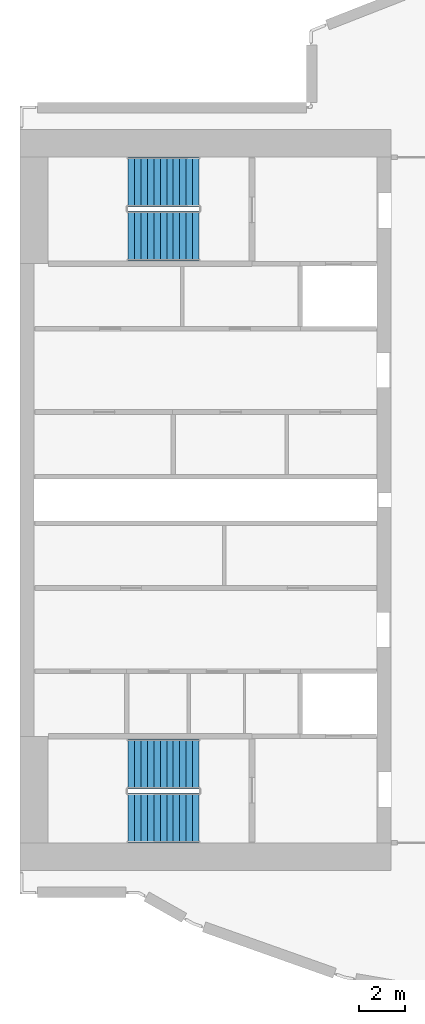
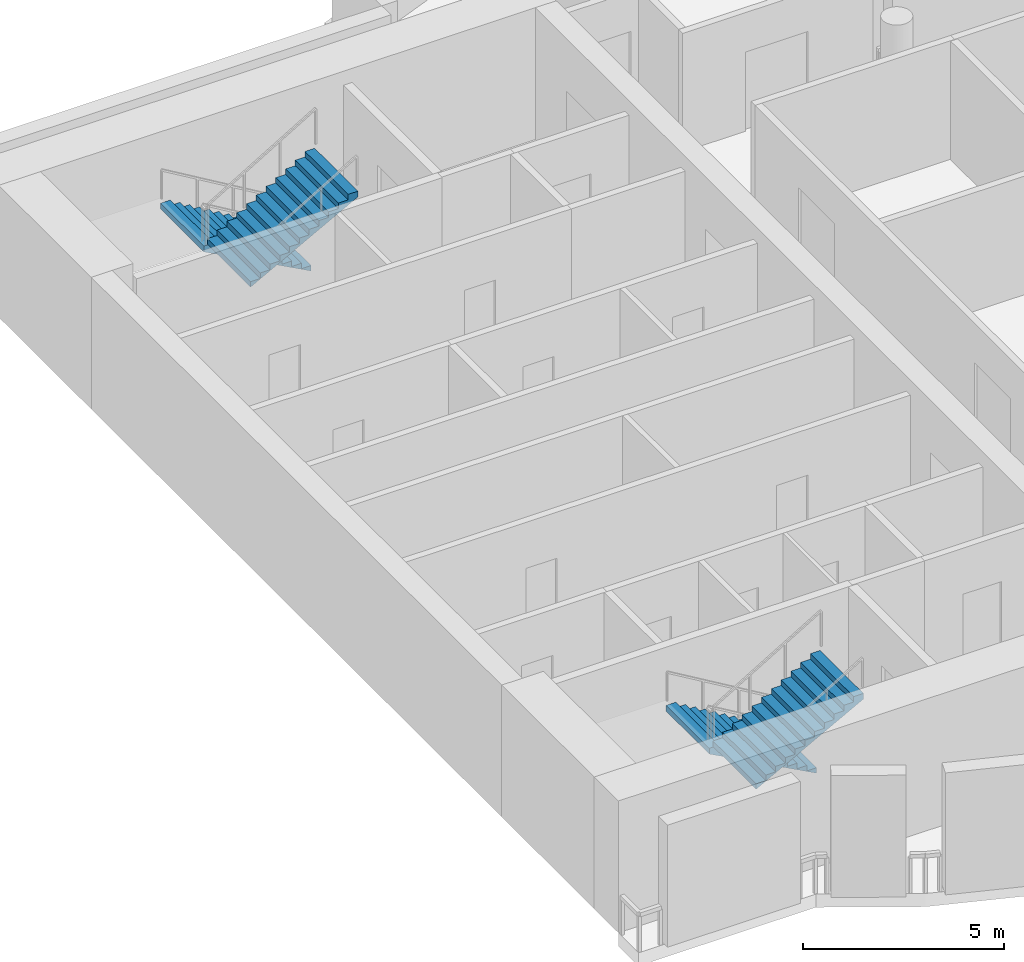
# One storey, part 4 of 8: 4 stair flights, 2 elements without a shape of their own.
"""IFC4 building model written with IfcOpenShell, lengths in metres."""

from ifc_helpers import new_model, si_unit, direction, frame, origin, place, context, subcontext, project, spatial, triangles, material, type_object, element, aggregate, save


model = new_model("IFC4")

# Units and contexts
model_context = context("Model", 3, precision=1e-05, world=origin(), true_north=direction((0.0, 1.0)))
body_context = subcontext(model_context, "Body", "Model", "MODEL_VIEW")
ifc_project = project(units=[si_unit("LENGTHUNIT", "METRE"), si_unit("AREAUNIT", "SQUARE_METRE"), si_unit("VOLUMEUNIT", "CUBIC_METRE"), si_unit("PLANEANGLEUNIT", "RADIAN"), si_unit("MASSUNIT", "GRAM", prefix="KILO")], contexts=[model_context])

# Site, building, storey
site_placement = place(None, origin())
site = spatial("IfcSite", under=ifc_project, at=site_placement, CompositionType="ELEMENT")
building_placement = place(site_placement, origin())
building = spatial("IfcBuilding", under=site, at=building_placement, Name="Cypress Arch Tower", CompositionType="ELEMENT")
storey_placement = place(building_placement, frame((0.0, 0.0, 351.0)))
storey = spatial("IfcBuildingStorey", under=building, at=storey_placement, Name="L80", CompositionType="ELEMENT", Elevation=351.0)

# Stair, stair flights
ifc_material_1 = material(Name="Concrete C40/50", Category="concrete")
stair_type = type_object("IfcStairType", Name="Exit stair ES1667-215", PredefinedType="HALF_TURN_STAIR", material=ifc_material_1)
stair_1_placement = place(storey_placement, origin())
stair_1 = element("IfcStair", 1, at=stair_1_placement, inside=storey, type_object=stair_type, Name="L80 Exit stair A", PredefinedType="HALF_TURN_STAIR")
ifc_material_2 = material(Name="Concrete C40/50", Category="concrete")
stair_flight_type = type_object("IfcStairFlightType", Name="Exit stair flight ES1667-215", PredefinedType="STRAIGHT", material=ifc_material_2)
stair_flight_1_placement = place(storey_placement, frame((-22.27490234375, -11.39990234375, 0.0), z_axis=(0.0, 0.0, 1.0), x_axis=(-1.0, 0.0, 0.0)))
stair_flight_1 = element("IfcStairFlight", 2, at=stair_flight_1_placement, type_object=stair_flight_type, Name="A flight 1", NumberOfRisers=12, NumberOfTreads=11, PredefinedType="STRAIGHT", RiserHeight=0.166666667, TreadLength=0.28, context=body_context, shape_type="Tessellation", body=[
    triangles([(0.0, -1.074951171875, 0.0), (0.000244140625, -1.074951171875, 0.0185546875), (0.000244140625, -1.074951171875, 0.037109375), (0.00048828125, -1.074951171875, 0.0556640625), (0.00048828125, -1.074951171875, 0.07421875), (0.00048828125, -1.074951171875, 0.092529296875), (0.00048828125, -1.074951171875, 0.111083984375), (0.000244140625, -1.074951171875, 0.129638671875), (0.000244140625, -1.074951171875, 0.148193359375), (0.0, -1.074951171875, 0.166748046875), (0.280029296875, -1.074951171875, 0.166748046875), (0.280029296875, -1.074951171875, 0.333251953125), (0.56005859375, -1.074951171875, 0.333251953125), (0.56005859375, -1.074951171875, 0.5), (0.840087890625, -1.074951171875, 0.5), (0.840087890625, -1.074951171875, 0.666748046875), (1.1201171875, -1.074951171875, 0.666748046875), (1.1201171875, -1.074951171875, 0.833251953125), (1.39990234375, -1.074951171875, 0.833251953125), (1.39990234375, -1.074951171875, 1.0), (1.679931640625, -1.074951171875, 1.0), (1.679931640625, -1.074951171875, 1.166748046875), (1.9599609375, -1.074951171875, 1.166748046875), (1.9599609375, -1.074951171875, 1.333251953125), (2.239990234375, -1.074951171875, 1.333251953125), (2.239990234375, -1.074951171875, 1.5), (2.52001953125, -1.074951171875, 1.5), (2.52001953125, -1.074951171875, 1.666748046875), (2.800048828125, -1.074951171875, 1.666748046875), (2.800048828125, -1.074951171875, 1.833251953125), (3.080078125, -1.074951171875, 1.833251953125), (3.079833984375, -1.074951171875, 1.81396484375), (3.079833984375, -1.074951171875, 1.79443359375), (3.07958984375, -1.074951171875, 1.775146484375), (3.07958984375, -1.074951171875, 1.755859375), (3.07958984375, -1.074951171875, 1.736328125), (3.07958984375, -1.074951171875, 1.717041015625), (3.079833984375, -1.074951171875, 1.69775390625), (3.079833984375, -1.074951171875, 1.67822265625), (3.080078125, -1.074951171875, 1.658935546875), (3.080078125, 1.074951171875, 1.658935546875), (3.079833984375, 1.074951171875, 1.67822265625), (3.079833984375, 1.074951171875, 1.69775390625), (3.07958984375, 1.074951171875, 1.717041015625), (3.07958984375, 1.074951171875, 1.736328125), (3.07958984375, 1.074951171875, 1.755859375), (3.07958984375, 1.074951171875, 1.775146484375), (3.079833984375, 1.074951171875, 1.79443359375), (3.079833984375, 1.074951171875, 1.81396484375), (3.080078125, 1.074951171875, 1.833251953125), (2.800048828125, 1.074951171875, 1.833251953125), (2.800048828125, 1.074951171875, 1.666748046875), (2.52001953125, 1.074951171875, 1.666748046875), (2.52001953125, 1.074951171875, 1.5), (2.239990234375, 1.074951171875, 1.5), (2.239990234375, 1.074951171875, 1.333251953125), (1.9599609375, 1.074951171875, 1.333251953125), (1.9599609375, 1.074951171875, 1.166748046875), (1.679931640625, 1.074951171875, 1.166748046875), (1.679931640625, 1.074951171875, 1.0), (1.39990234375, 1.074951171875, 1.0), (1.39990234375, 1.074951171875, 0.833251953125), (1.1201171875, 1.074951171875, 0.833251953125), (1.1201171875, 1.074951171875, 0.666748046875), (0.840087890625, 1.074951171875, 0.666748046875), (0.840087890625, 1.074951171875, 0.5), (0.56005859375, 1.074951171875, 0.5), (0.56005859375, 1.074951171875, 0.333251953125), (0.280029296875, 1.074951171875, 0.333251953125), (0.280029296875, 1.074951171875, 0.166748046875), (0.0, 1.074951171875, 0.166748046875), (0.000244140625, 1.074951171875, 0.148193359375), (0.000244140625, 1.074951171875, 0.129638671875), (0.00048828125, 1.074951171875, 0.111083984375), (0.00048828125, 1.074951171875, 0.092529296875), (0.00048828125, 1.074951171875, 0.07421875), (0.00048828125, 1.074951171875, 0.0556640625), (0.000244140625, 1.074951171875, 0.037109375), (0.000244140625, 1.074951171875, 0.0185546875), (0.0, 1.074951171875, 0.0)], [[40, 39, 30], [39, 38, 30], [38, 37, 30], [37, 36, 30], [36, 35, 30], [35, 34, 30], [34, 33, 30], [33, 32, 30], [32, 31, 30], [29, 28, 27], [27, 26, 25], [23, 22, 21], [21, 20, 19], [17, 16, 15], [15, 14, 13], [10, 9, 11], [9, 8, 11], [8, 7, 11], [7, 6, 11], [6, 5, 11], [5, 4, 11], [4, 3, 11], [3, 2, 11], [2, 1, 11], [19, 18, 17], [25, 24, 23], [13, 12, 11], [40, 30, 29], [40, 29, 27], [40, 27, 25], [40, 25, 23], [40, 23, 21], [40, 21, 19], [40, 19, 17], [40, 17, 15], [40, 15, 13], [1, 40, 13], [13, 11, 1], [41, 51, 42], [42, 51, 43], [43, 51, 44], [44, 51, 45], [45, 51, 46], [46, 51, 47], [47, 51, 48], [48, 51, 49], [49, 51, 50], [52, 54, 53], [54, 56, 55], [58, 60, 59], [60, 62, 61], [64, 66, 65], [66, 68, 67], [71, 70, 72], [72, 70, 73], [73, 70, 74], [74, 70, 75], [75, 70, 76], [76, 70, 77], [77, 70, 78], [78, 70, 79], [79, 70, 80], [62, 64, 63], [56, 58, 57], [68, 70, 69], [41, 52, 51], [41, 54, 52], [41, 56, 54], [41, 58, 56], [41, 60, 58], [41, 62, 60], [41, 64, 62], [41, 66, 64], [41, 68, 66], [80, 68, 41], [68, 80, 70], [41, 42, 39], [41, 39, 40], [42, 43, 38], [42, 38, 39], [43, 44, 37], [43, 37, 38], [44, 45, 36], [44, 36, 37], [45, 46, 35], [45, 35, 36], [46, 47, 34], [46, 34, 35], [47, 48, 33], [47, 33, 34], [48, 49, 32], [48, 32, 33], [49, 50, 31], [49, 31, 32], [50, 51, 30], [50, 30, 31], [51, 52, 29], [51, 29, 30], [52, 53, 28], [52, 28, 29], [53, 54, 27], [53, 27, 28], [54, 55, 26], [54, 26, 27], [55, 56, 25], [55, 25, 26], [56, 57, 24], [56, 24, 25], [57, 58, 23], [57, 23, 24], [58, 59, 22], [58, 22, 23], [59, 60, 21], [59, 21, 22], [60, 61, 20], [60, 20, 21], [61, 62, 19], [61, 19, 20], [62, 63, 18], [62, 18, 19], [63, 64, 17], [63, 17, 18], [64, 65, 16], [64, 16, 17], [65, 66, 15], [65, 15, 16], [66, 67, 14], [66, 14, 15], [67, 68, 13], [67, 13, 14], [68, 69, 12], [68, 12, 13], [69, 70, 11], [69, 11, 12], [70, 71, 10], [70, 10, 11], [71, 72, 9], [71, 9, 10], [72, 73, 8], [72, 8, 9], [73, 74, 7], [73, 7, 8], [74, 75, 6], [74, 6, 7], [75, 76, 5], [75, 5, 6], [76, 77, 4], [76, 4, 5], [77, 78, 3], [77, 3, 4], [78, 79, 2], [78, 2, 3], [79, 80, 1], [79, 1, 2], [80, 41, 40], [80, 40, 1]], closed=True),
])
stair_flight_2_placement = place(storey_placement, frame((-25.35498046875, -13.72509765625, 2.0), z_axis=(0.0, 0.0, 1.0), x_axis=(1.0, 0.0, 0.0)))
stair_flight_2 = element("IfcStairFlight", 3, at=stair_flight_2_placement, type_object=stair_flight_type, Name="A flight 2", NumberOfRisers=12, NumberOfTreads=11, PredefinedType="STRAIGHT", RiserHeight=0.166666667, TreadLength=0.28, context=body_context, shape_type="Tessellation", body=[
    triangles([(0.0, -1.074951171875, 0.0), (0.000244140625, -1.074951171875, 0.0185546875), (0.000244140625, -1.074951171875, 0.037109375), (0.00048828125, -1.074951171875, 0.0556640625), (0.00048828125, -1.074951171875, 0.07421875), (0.00048828125, -1.074951171875, 0.092529296875), (0.00048828125, -1.074951171875, 0.111083984375), (0.000244140625, -1.074951171875, 0.129638671875), (0.000244140625, -1.074951171875, 0.148193359375), (0.0, -1.074951171875, 0.166748046875), (0.280029296875, -1.074951171875, 0.166748046875), (0.280029296875, -1.074951171875, 0.333251953125), (0.56005859375, -1.074951171875, 0.333251953125), (0.56005859375, -1.074951171875, 0.5), (0.840087890625, -1.074951171875, 0.5), (0.840087890625, -1.074951171875, 0.666748046875), (1.1201171875, -1.074951171875, 0.666748046875), (1.1201171875, -1.074951171875, 0.833251953125), (1.39990234375, -1.074951171875, 0.833251953125), (1.39990234375, -1.074951171875, 1.0), (1.679931640625, -1.074951171875, 1.0), (1.679931640625, -1.074951171875, 1.166748046875), (1.9599609375, -1.074951171875, 1.166748046875), (1.9599609375, -1.074951171875, 1.333251953125), (2.239990234375, -1.074951171875, 1.333251953125), (2.239990234375, -1.074951171875, 1.5), (2.52001953125, -1.074951171875, 1.5), (2.52001953125, -1.074951171875, 1.666748046875), (2.800048828125, -1.074951171875, 1.666748046875), (2.800048828125, -1.074951171875, 1.833251953125), (3.080078125, -1.074951171875, 1.833251953125), (3.079833984375, -1.074951171875, 1.81396484375), (3.079833984375, -1.074951171875, 1.79443359375), (3.07958984375, -1.074951171875, 1.775146484375), (3.07958984375, -1.074951171875, 1.755859375), (3.07958984375, -1.074951171875, 1.736328125), (3.07958984375, -1.074951171875, 1.717041015625), (3.079833984375, -1.074951171875, 1.69775390625), (3.079833984375, -1.074951171875, 1.67822265625), (3.080078125, -1.074951171875, 1.658935546875), (3.080078125, 1.074951171875, 1.658935546875), (3.079833984375, 1.074951171875, 1.67822265625), (3.079833984375, 1.074951171875, 1.69775390625), (3.07958984375, 1.074951171875, 1.717041015625), (3.07958984375, 1.074951171875, 1.736328125), (3.07958984375, 1.074951171875, 1.755859375), (3.07958984375, 1.074951171875, 1.775146484375), (3.079833984375, 1.074951171875, 1.79443359375), (3.079833984375, 1.074951171875, 1.81396484375), (3.080078125, 1.074951171875, 1.833251953125), (2.800048828125, 1.074951171875, 1.833251953125), (2.800048828125, 1.074951171875, 1.666748046875), (2.52001953125, 1.074951171875, 1.666748046875), (2.52001953125, 1.074951171875, 1.5), (2.239990234375, 1.074951171875, 1.5), (2.239990234375, 1.074951171875, 1.333251953125), (1.9599609375, 1.074951171875, 1.333251953125), (1.9599609375, 1.074951171875, 1.166748046875), (1.679931640625, 1.074951171875, 1.166748046875), (1.679931640625, 1.074951171875, 1.0), (1.39990234375, 1.074951171875, 1.0), (1.39990234375, 1.074951171875, 0.833251953125), (1.1201171875, 1.074951171875, 0.833251953125), (1.1201171875, 1.074951171875, 0.666748046875), (0.840087890625, 1.074951171875, 0.666748046875), (0.840087890625, 1.074951171875, 0.5), (0.56005859375, 1.074951171875, 0.5), (0.56005859375, 1.074951171875, 0.333251953125), (0.280029296875, 1.074951171875, 0.333251953125), (0.280029296875, 1.074951171875, 0.166748046875), (0.0, 1.074951171875, 0.166748046875), (0.000244140625, 1.074951171875, 0.148193359375), (0.000244140625, 1.074951171875, 0.129638671875), (0.00048828125, 1.074951171875, 0.111083984375), (0.00048828125, 1.074951171875, 0.092529296875), (0.00048828125, 1.074951171875, 0.07421875), (0.00048828125, 1.074951171875, 0.0556640625), (0.000244140625, 1.074951171875, 0.037109375), (0.000244140625, 1.074951171875, 0.0185546875), (0.0, 1.074951171875, 0.0)], [[40, 39, 30], [39, 38, 30], [38, 37, 30], [37, 36, 30], [36, 35, 30], [35, 34, 30], [34, 33, 30], [33, 32, 30], [32, 31, 30], [29, 28, 27], [27, 26, 25], [23, 22, 21], [21, 20, 19], [17, 16, 15], [15, 14, 13], [10, 9, 11], [9, 8, 11], [8, 7, 11], [7, 6, 11], [6, 5, 11], [5, 4, 11], [4, 3, 11], [3, 2, 11], [2, 1, 11], [19, 18, 17], [25, 24, 23], [13, 12, 11], [40, 30, 29], [40, 29, 27], [40, 27, 25], [40, 25, 23], [40, 23, 21], [40, 21, 19], [40, 19, 17], [40, 17, 15], [40, 15, 13], [1, 40, 13], [13, 11, 1], [41, 51, 42], [42, 51, 43], [43, 51, 44], [44, 51, 45], [45, 51, 46], [46, 51, 47], [47, 51, 48], [48, 51, 49], [49, 51, 50], [52, 54, 53], [54, 56, 55], [58, 60, 59], [60, 62, 61], [64, 66, 65], [66, 68, 67], [71, 70, 72], [72, 70, 73], [73, 70, 74], [74, 70, 75], [75, 70, 76], [76, 70, 77], [77, 70, 78], [78, 70, 79], [79, 70, 80], [62, 64, 63], [56, 58, 57], [68, 70, 69], [41, 52, 51], [41, 54, 52], [41, 56, 54], [41, 58, 56], [41, 60, 58], [41, 62, 60], [41, 64, 62], [41, 66, 64], [41, 68, 66], [80, 68, 41], [68, 80, 70], [41, 42, 39], [41, 39, 40], [42, 43, 38], [42, 38, 39], [43, 44, 37], [43, 37, 38], [44, 45, 36], [44, 36, 37], [45, 46, 35], [45, 35, 36], [46, 47, 34], [46, 34, 35], [47, 48, 33], [47, 33, 34], [48, 49, 32], [48, 32, 33], [49, 50, 31], [49, 31, 32], [50, 51, 30], [50, 30, 31], [51, 52, 29], [51, 29, 30], [52, 53, 28], [52, 28, 29], [53, 54, 27], [53, 27, 28], [54, 55, 26], [54, 26, 27], [55, 56, 25], [55, 25, 26], [56, 57, 24], [56, 24, 25], [57, 58, 23], [57, 23, 24], [58, 59, 22], [58, 22, 23], [59, 60, 21], [59, 21, 22], [60, 61, 20], [60, 20, 21], [61, 62, 19], [61, 19, 20], [62, 63, 18], [62, 18, 19], [63, 64, 17], [63, 17, 18], [64, 65, 16], [64, 16, 17], [65, 66, 15], [65, 15, 16], [66, 67, 14], [66, 14, 15], [67, 68, 13], [67, 13, 14], [68, 69, 12], [68, 12, 13], [69, 70, 11], [69, 11, 12], [70, 71, 10], [70, 10, 11], [71, 72, 9], [71, 9, 10], [72, 73, 8], [72, 8, 9], [73, 74, 7], [73, 7, 8], [74, 75, 6], [74, 6, 7], [75, 76, 5], [75, 5, 6], [76, 77, 4], [76, 4, 5], [77, 78, 3], [77, 3, 4], [78, 79, 2], [78, 2, 3], [79, 80, 1], [79, 1, 2], [80, 41, 40], [80, 40, 1]], closed=True),
])
aggregate(stair_1, [stair_flight_1, stair_flight_2])

stair_2_placement = place(storey_placement, origin())
stair_2 = element("IfcStair", 4, at=stair_2_placement, inside=storey, type_object=stair_type, Name="L80 Exit stair B", PredefinedType="HALF_TURN_STAIR")
stair_flight_3_placement = place(storey_placement, frame((-22.27490234375, 13.72509765625, 0.0), z_axis=(0.0, 0.0, 1.0), x_axis=(-1.0, 0.0, 0.0)))
stair_flight_3 = element("IfcStairFlight", 5, at=stair_flight_3_placement, type_object=stair_flight_type, Name="B flight 1", NumberOfRisers=12, NumberOfTreads=11, PredefinedType="STRAIGHT", RiserHeight=0.166666667, TreadLength=0.28, context=body_context, shape_type="Tessellation", body=[
    triangles([(0.0, -1.074951171875, 0.0), (0.000244140625, -1.074951171875, 0.0185546875), (0.000244140625, -1.074951171875, 0.037109375), (0.00048828125, -1.074951171875, 0.0556640625), (0.00048828125, -1.074951171875, 0.07421875), (0.00048828125, -1.074951171875, 0.092529296875), (0.00048828125, -1.074951171875, 0.111083984375), (0.000244140625, -1.074951171875, 0.129638671875), (0.000244140625, -1.074951171875, 0.148193359375), (0.0, -1.074951171875, 0.166748046875), (0.280029296875, -1.074951171875, 0.166748046875), (0.280029296875, -1.074951171875, 0.333251953125), (0.56005859375, -1.074951171875, 0.333251953125), (0.56005859375, -1.074951171875, 0.5), (0.840087890625, -1.074951171875, 0.5), (0.840087890625, -1.074951171875, 0.666748046875), (1.1201171875, -1.074951171875, 0.666748046875), (1.1201171875, -1.074951171875, 0.833251953125), (1.39990234375, -1.074951171875, 0.833251953125), (1.39990234375, -1.074951171875, 1.0), (1.679931640625, -1.074951171875, 1.0), (1.679931640625, -1.074951171875, 1.166748046875), (1.9599609375, -1.074951171875, 1.166748046875), (1.9599609375, -1.074951171875, 1.333251953125), (2.239990234375, -1.074951171875, 1.333251953125), (2.239990234375, -1.074951171875, 1.5), (2.52001953125, -1.074951171875, 1.5), (2.52001953125, -1.074951171875, 1.666748046875), (2.800048828125, -1.074951171875, 1.666748046875), (2.800048828125, -1.074951171875, 1.833251953125), (3.080078125, -1.074951171875, 1.833251953125), (3.079833984375, -1.074951171875, 1.81396484375), (3.079833984375, -1.074951171875, 1.79443359375), (3.07958984375, -1.074951171875, 1.775146484375), (3.07958984375, -1.074951171875, 1.755859375), (3.07958984375, -1.074951171875, 1.736328125), (3.07958984375, -1.074951171875, 1.717041015625), (3.079833984375, -1.074951171875, 1.69775390625), (3.079833984375, -1.074951171875, 1.67822265625), (3.080078125, -1.074951171875, 1.658935546875), (3.080078125, 1.074951171875, 1.658935546875), (3.079833984375, 1.074951171875, 1.67822265625), (3.079833984375, 1.074951171875, 1.69775390625), (3.07958984375, 1.074951171875, 1.717041015625), (3.07958984375, 1.074951171875, 1.736328125), (3.07958984375, 1.074951171875, 1.755859375), (3.07958984375, 1.074951171875, 1.775146484375), (3.079833984375, 1.074951171875, 1.79443359375), (3.079833984375, 1.074951171875, 1.81396484375), (3.080078125, 1.074951171875, 1.833251953125), (2.800048828125, 1.074951171875, 1.833251953125), (2.800048828125, 1.074951171875, 1.666748046875), (2.52001953125, 1.074951171875, 1.666748046875), (2.52001953125, 1.074951171875, 1.5), (2.239990234375, 1.074951171875, 1.5), (2.239990234375, 1.074951171875, 1.333251953125), (1.9599609375, 1.074951171875, 1.333251953125), (1.9599609375, 1.074951171875, 1.166748046875), (1.679931640625, 1.074951171875, 1.166748046875), (1.679931640625, 1.074951171875, 1.0), (1.39990234375, 1.074951171875, 1.0), (1.39990234375, 1.074951171875, 0.833251953125), (1.1201171875, 1.074951171875, 0.833251953125), (1.1201171875, 1.074951171875, 0.666748046875), (0.840087890625, 1.074951171875, 0.666748046875), (0.840087890625, 1.074951171875, 0.5), (0.56005859375, 1.074951171875, 0.5), (0.56005859375, 1.074951171875, 0.333251953125), (0.280029296875, 1.074951171875, 0.333251953125), (0.280029296875, 1.074951171875, 0.166748046875), (0.0, 1.074951171875, 0.166748046875), (0.000244140625, 1.074951171875, 0.148193359375), (0.000244140625, 1.074951171875, 0.129638671875), (0.00048828125, 1.074951171875, 0.111083984375), (0.00048828125, 1.074951171875, 0.092529296875), (0.00048828125, 1.074951171875, 0.07421875), (0.00048828125, 1.074951171875, 0.0556640625), (0.000244140625, 1.074951171875, 0.037109375), (0.000244140625, 1.074951171875, 0.0185546875), (0.0, 1.074951171875, 0.0)], [[40, 39, 30], [39, 38, 30], [38, 37, 30], [37, 36, 30], [36, 35, 30], [35, 34, 30], [34, 33, 30], [33, 32, 30], [32, 31, 30], [29, 28, 27], [27, 26, 25], [23, 22, 21], [21, 20, 19], [17, 16, 15], [15, 14, 13], [10, 9, 11], [9, 8, 11], [8, 7, 11], [7, 6, 11], [6, 5, 11], [5, 4, 11], [4, 3, 11], [3, 2, 11], [2, 1, 11], [19, 18, 17], [25, 24, 23], [13, 12, 11], [40, 30, 29], [40, 29, 27], [40, 27, 25], [40, 25, 23], [40, 23, 21], [40, 21, 19], [40, 19, 17], [40, 17, 15], [40, 15, 13], [1, 40, 13], [13, 11, 1], [41, 51, 42], [42, 51, 43], [43, 51, 44], [44, 51, 45], [45, 51, 46], [46, 51, 47], [47, 51, 48], [48, 51, 49], [49, 51, 50], [52, 54, 53], [54, 56, 55], [58, 60, 59], [60, 62, 61], [64, 66, 65], [66, 68, 67], [71, 70, 72], [72, 70, 73], [73, 70, 74], [74, 70, 75], [75, 70, 76], [76, 70, 77], [77, 70, 78], [78, 70, 79], [79, 70, 80], [62, 64, 63], [56, 58, 57], [68, 70, 69], [41, 52, 51], [41, 54, 52], [41, 56, 54], [41, 58, 56], [41, 60, 58], [41, 62, 60], [41, 64, 62], [41, 66, 64], [41, 68, 66], [80, 68, 41], [68, 80, 70], [41, 42, 39], [41, 39, 40], [42, 43, 38], [42, 38, 39], [43, 44, 37], [43, 37, 38], [44, 45, 36], [44, 36, 37], [45, 46, 35], [45, 35, 36], [46, 47, 34], [46, 34, 35], [47, 48, 33], [47, 33, 34], [48, 49, 32], [48, 32, 33], [49, 50, 31], [49, 31, 32], [50, 51, 30], [50, 30, 31], [51, 52, 29], [51, 29, 30], [52, 53, 28], [52, 28, 29], [53, 54, 27], [53, 27, 28], [54, 55, 26], [54, 26, 27], [55, 56, 25], [55, 25, 26], [56, 57, 24], [56, 24, 25], [57, 58, 23], [57, 23, 24], [58, 59, 22], [58, 22, 23], [59, 60, 21], [59, 21, 22], [60, 61, 20], [60, 20, 21], [61, 62, 19], [61, 19, 20], [62, 63, 18], [62, 18, 19], [63, 64, 17], [63, 17, 18], [64, 65, 16], [64, 16, 17], [65, 66, 15], [65, 15, 16], [66, 67, 14], [66, 14, 15], [67, 68, 13], [67, 13, 14], [68, 69, 12], [68, 12, 13], [69, 70, 11], [69, 11, 12], [70, 71, 10], [70, 10, 11], [71, 72, 9], [71, 9, 10], [72, 73, 8], [72, 8, 9], [73, 74, 7], [73, 7, 8], [74, 75, 6], [74, 6, 7], [75, 76, 5], [75, 5, 6], [76, 77, 4], [76, 4, 5], [77, 78, 3], [77, 3, 4], [78, 79, 2], [78, 2, 3], [79, 80, 1], [79, 1, 2], [80, 41, 40], [80, 40, 1]], closed=True),
])
stair_flight_4_placement = place(storey_placement, frame((-25.35498046875, 11.39990234375, 2.0), z_axis=(0.0, 0.0, 1.0), x_axis=(1.0, 0.0, 0.0)))
stair_flight_4 = element("IfcStairFlight", 6, at=stair_flight_4_placement, type_object=stair_flight_type, Name="B flight 2", NumberOfRisers=12, NumberOfTreads=11, PredefinedType="STRAIGHT", RiserHeight=0.166666667, TreadLength=0.28, context=body_context, shape_type="Tessellation", body=[
    triangles([(0.0, -1.074951171875, 0.0), (0.000244140625, -1.074951171875, 0.0185546875), (0.000244140625, -1.074951171875, 0.037109375), (0.00048828125, -1.074951171875, 0.0556640625), (0.00048828125, -1.074951171875, 0.07421875), (0.00048828125, -1.074951171875, 0.092529296875), (0.00048828125, -1.074951171875, 0.111083984375), (0.000244140625, -1.074951171875, 0.129638671875), (0.000244140625, -1.074951171875, 0.148193359375), (0.0, -1.074951171875, 0.166748046875), (0.280029296875, -1.074951171875, 0.166748046875), (0.280029296875, -1.074951171875, 0.333251953125), (0.56005859375, -1.074951171875, 0.333251953125), (0.56005859375, -1.074951171875, 0.5), (0.840087890625, -1.074951171875, 0.5), (0.840087890625, -1.074951171875, 0.666748046875), (1.1201171875, -1.074951171875, 0.666748046875), (1.1201171875, -1.074951171875, 0.833251953125), (1.39990234375, -1.074951171875, 0.833251953125), (1.39990234375, -1.074951171875, 1.0), (1.679931640625, -1.074951171875, 1.0), (1.679931640625, -1.074951171875, 1.166748046875), (1.9599609375, -1.074951171875, 1.166748046875), (1.9599609375, -1.074951171875, 1.333251953125), (2.239990234375, -1.074951171875, 1.333251953125), (2.239990234375, -1.074951171875, 1.5), (2.52001953125, -1.074951171875, 1.5), (2.52001953125, -1.074951171875, 1.666748046875), (2.800048828125, -1.074951171875, 1.666748046875), (2.800048828125, -1.074951171875, 1.833251953125), (3.080078125, -1.074951171875, 1.833251953125), (3.079833984375, -1.074951171875, 1.81396484375), (3.079833984375, -1.074951171875, 1.79443359375), (3.07958984375, -1.074951171875, 1.775146484375), (3.07958984375, -1.074951171875, 1.755859375), (3.07958984375, -1.074951171875, 1.736328125), (3.07958984375, -1.074951171875, 1.717041015625), (3.079833984375, -1.074951171875, 1.69775390625), (3.079833984375, -1.074951171875, 1.67822265625), (3.080078125, -1.074951171875, 1.658935546875), (3.080078125, 1.074951171875, 1.658935546875), (3.079833984375, 1.074951171875, 1.67822265625), (3.079833984375, 1.074951171875, 1.69775390625), (3.07958984375, 1.074951171875, 1.717041015625), (3.07958984375, 1.074951171875, 1.736328125), (3.07958984375, 1.074951171875, 1.755859375), (3.07958984375, 1.074951171875, 1.775146484375), (3.079833984375, 1.074951171875, 1.79443359375), (3.079833984375, 1.074951171875, 1.81396484375), (3.080078125, 1.074951171875, 1.833251953125), (2.800048828125, 1.074951171875, 1.833251953125), (2.800048828125, 1.074951171875, 1.666748046875), (2.52001953125, 1.074951171875, 1.666748046875), (2.52001953125, 1.074951171875, 1.5), (2.239990234375, 1.074951171875, 1.5), (2.239990234375, 1.074951171875, 1.333251953125), (1.9599609375, 1.074951171875, 1.333251953125), (1.9599609375, 1.074951171875, 1.166748046875), (1.679931640625, 1.074951171875, 1.166748046875), (1.679931640625, 1.074951171875, 1.0), (1.39990234375, 1.074951171875, 1.0), (1.39990234375, 1.074951171875, 0.833251953125), (1.1201171875, 1.074951171875, 0.833251953125), (1.1201171875, 1.074951171875, 0.666748046875), (0.840087890625, 1.074951171875, 0.666748046875), (0.840087890625, 1.074951171875, 0.5), (0.56005859375, 1.074951171875, 0.5), (0.56005859375, 1.074951171875, 0.333251953125), (0.280029296875, 1.074951171875, 0.333251953125), (0.280029296875, 1.074951171875, 0.166748046875), (0.0, 1.074951171875, 0.166748046875), (0.000244140625, 1.074951171875, 0.148193359375), (0.000244140625, 1.074951171875, 0.129638671875), (0.00048828125, 1.074951171875, 0.111083984375), (0.00048828125, 1.074951171875, 0.092529296875), (0.00048828125, 1.074951171875, 0.07421875), (0.00048828125, 1.074951171875, 0.0556640625), (0.000244140625, 1.074951171875, 0.037109375), (0.000244140625, 1.074951171875, 0.0185546875), (0.0, 1.074951171875, 0.0)], [[40, 39, 30], [39, 38, 30], [38, 37, 30], [37, 36, 30], [36, 35, 30], [35, 34, 30], [34, 33, 30], [33, 32, 30], [32, 31, 30], [29, 28, 27], [27, 26, 25], [23, 22, 21], [21, 20, 19], [17, 16, 15], [15, 14, 13], [10, 9, 11], [9, 8, 11], [8, 7, 11], [7, 6, 11], [6, 5, 11], [5, 4, 11], [4, 3, 11], [3, 2, 11], [2, 1, 11], [19, 18, 17], [25, 24, 23], [13, 12, 11], [40, 30, 29], [40, 29, 27], [40, 27, 25], [40, 25, 23], [40, 23, 21], [40, 21, 19], [40, 19, 17], [40, 17, 15], [40, 15, 13], [1, 40, 13], [13, 11, 1], [41, 51, 42], [42, 51, 43], [43, 51, 44], [44, 51, 45], [45, 51, 46], [46, 51, 47], [47, 51, 48], [48, 51, 49], [49, 51, 50], [52, 54, 53], [54, 56, 55], [58, 60, 59], [60, 62, 61], [64, 66, 65], [66, 68, 67], [71, 70, 72], [72, 70, 73], [73, 70, 74], [74, 70, 75], [75, 70, 76], [76, 70, 77], [77, 70, 78], [78, 70, 79], [79, 70, 80], [62, 64, 63], [56, 58, 57], [68, 70, 69], [41, 52, 51], [41, 54, 52], [41, 56, 54], [41, 58, 56], [41, 60, 58], [41, 62, 60], [41, 64, 62], [41, 66, 64], [41, 68, 66], [80, 68, 41], [68, 80, 70], [41, 42, 39], [41, 39, 40], [42, 43, 38], [42, 38, 39], [43, 44, 37], [43, 37, 38], [44, 45, 36], [44, 36, 37], [45, 46, 35], [45, 35, 36], [46, 47, 34], [46, 34, 35], [47, 48, 33], [47, 33, 34], [48, 49, 32], [48, 32, 33], [49, 50, 31], [49, 31, 32], [50, 51, 30], [50, 30, 31], [51, 52, 29], [51, 29, 30], [52, 53, 28], [52, 28, 29], [53, 54, 27], [53, 27, 28], [54, 55, 26], [54, 26, 27], [55, 56, 25], [55, 25, 26], [56, 57, 24], [56, 24, 25], [57, 58, 23], [57, 23, 24], [58, 59, 22], [58, 22, 23], [59, 60, 21], [59, 21, 22], [60, 61, 20], [60, 20, 21], [61, 62, 19], [61, 19, 20], [62, 63, 18], [62, 18, 19], [63, 64, 17], [63, 17, 18], [64, 65, 16], [64, 16, 17], [65, 66, 15], [65, 15, 16], [66, 67, 14], [66, 14, 15], [67, 68, 13], [67, 13, 14], [68, 69, 12], [68, 12, 13], [69, 70, 11], [69, 11, 12], [70, 71, 10], [70, 10, 11], [71, 72, 9], [71, 9, 10], [72, 73, 8], [72, 8, 9], [73, 74, 7], [73, 7, 8], [74, 75, 6], [74, 6, 7], [75, 76, 5], [75, 5, 6], [76, 77, 4], [76, 4, 5], [77, 78, 3], [77, 3, 4], [78, 79, 2], [78, 2, 3], [79, 80, 1], [79, 1, 2], [80, 41, 40], [80, 40, 1]], closed=True),
])
aggregate(stair_2, [stair_flight_3, stair_flight_4])

save(model, "model.ifc")
